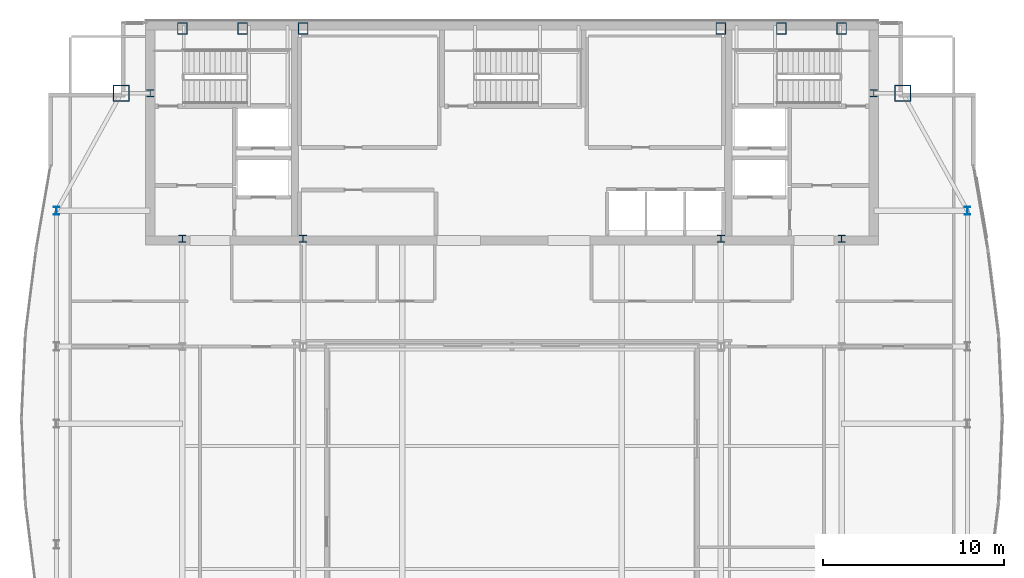
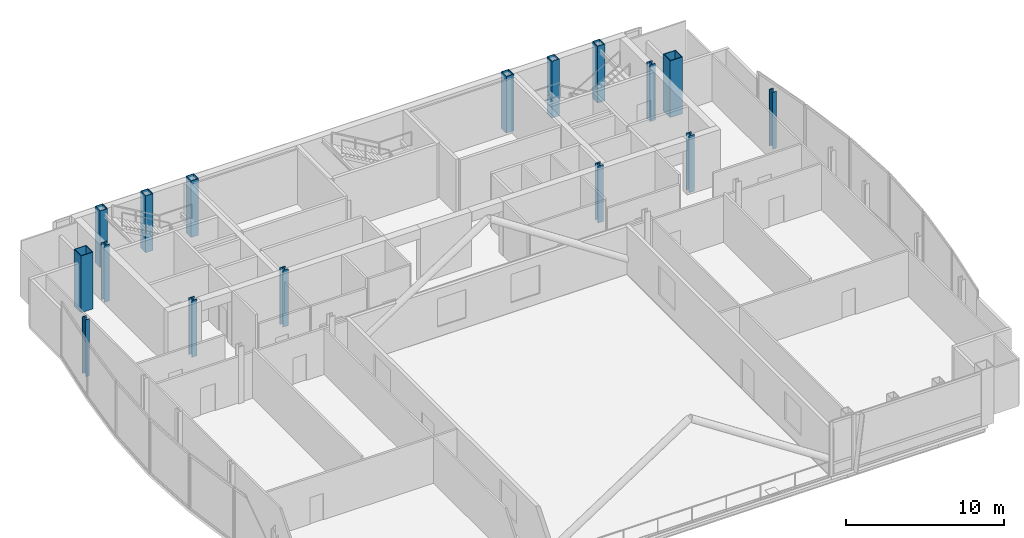
# One storey, part 3 of 27: 16 columns.
"""IFC4 building model written with IfcOpenShell, lengths in metres."""

from ifc_helpers import new_model, si_unit, direction, frame, origin, origin_2d, place, context, subcontext, project, spatial, hollow_rectangle, i_section, extrude, material, material_profile, profile_set, type_object, element, save


model = new_model("IFC4")

# Units and contexts
model_context = context("Model", 3, precision=1e-05, world=origin(), true_north=direction((0.0, 1.0)))
body_context = subcontext(model_context, "Body", "Model", "MODEL_VIEW")
ifc_project = project(units=[si_unit("LENGTHUNIT", "METRE"), si_unit("AREAUNIT", "SQUARE_METRE"), si_unit("VOLUMEUNIT", "CUBIC_METRE"), si_unit("PLANEANGLEUNIT", "RADIAN"), si_unit("MASSUNIT", "GRAM", prefix="KILO")], contexts=[model_context])

# Site, building, storey
site_placement = place(None, origin())
site = spatial("IfcSite", under=ifc_project, at=site_placement, CompositionType="ELEMENT")
building_placement = place(site_placement, origin())
building = spatial("IfcBuilding", under=site, at=building_placement, Name="Khoronbel Lancet Exchange", CompositionType="ELEMENT")
storey_placement = place(building_placement, frame((0.0, 0.0, 305.800048828125)))
storey = spatial("IfcBuildingStorey", under=building, at=storey_placement, Name="L79", CompositionType="ELEMENT", Elevation=305.800048828125)

# Columns
ifc_material_1 = material(Name="Steel S460", Category="steel")
ifc_material_profile_1 = material_profile(ifc_material_1, hollow_rectangle(XDim=0.550048828125, YDim=0.64990234375, WallThickness=0.0400390625, at=origin_2d()), Name="BOX 650x550x40")
ifc_profile_set_1 = profile_set([ifc_material_profile_1], Name="Steel S460")
column_type_1 = type_object("IfcColumnType", Name="COL-EC4", PredefinedType="COLUMN", material=ifc_profile_set_1)
for number, where, z_axis, x_axis, name in (
    (1, (18.22509765625, 53.280029296875, 0.0), (0.0, 0.0, 1.0), (1.0, 0.0, 0.0), "Structural column NC-W1 L79"),
    (2, (21.5625, 53.280029296875, 0.0), (0.0, 0.0, 1.0), (1.0, 0.0, 0.0), "Structural column NC-WM L79"),
    (3, (24.89990234375, 53.280029296875, 0.0), (0.0, 0.0, 1.0), (1.0, 0.0, 0.0), "Structural column NC-W2 L79"),
    (4, (48.0, 53.280029296875, 0.0), (0.0, 0.0, 1.0), (1.0, 0.0, 0.0), "Structural column NC-E1 L79"),
    (5, (51.33740234375, 53.280029296875, 0.0), (0.0, 0.0, 1.0), (1.0, 0.0, 0.0), "Structural column NC-EM L79"),
    (6, (54.675048828125, 53.280029296875, 0.0), (0.0, 0.0, 1.0), (1.0, 0.0, 0.0), "Structural column NC-E2 L79"),
):
    element("IfcColumn", number, at=place(storey_placement, frame(where, z_axis=z_axis, x_axis=x_axis)), inside=storey, type_object=column_type_1, Name=name, PredefinedType="COLUMN", context=body_context, shape_type="SweptSolid", body=[
        extrude(hollow_rectangle(XDim=0.550048828125, YDim=0.64990234375, WallThickness=0.0400390625, at=origin_2d()), origin(), (0.0, 0.0, 1.0), 4.39990234375),
    ])
ifc_material_2 = material(Name="Steel S355", Category="steel")
ifc_material_profile_2 = material_profile(ifc_material_2, i_section(OverallWidth=0.39892578125, OverallDepth=0.39306640625, WebThickness=0.022705078125, FlangeThickness=0.03662109375, at=origin_2d()), Name="HD 400x287")
ifc_profile_set_2 = profile_set([ifc_material_profile_2], Name="Steel S355")
column_type_2 = type_object("IfcColumnType", Name="COL-IC4", PredefinedType="COLUMN", material=ifc_profile_set_2)
for number, where, z_axis, x_axis, name in (
    (7, (16.449951171875, 49.699951171875, 0.0), (0.0, 0.0, 1.0), (1.0, 0.0, 0.0), "Core-flank plumb transfer column CFW L79"),
    (8, (56.449951171875, 49.699951171875, 0.0), (0.0, 0.0, 1.0), (1.0, 0.0, 0.0), "Core-flank plumb transfer column CFE L79"),
    (9, (18.22509765625, 41.64990234375, 0.0), (0.0, 0.0, 1.0), (1.0, 0.0, 0.0), "Core-embedded steel column CTC1 L79"),
    (10, (24.89990234375, 41.64990234375, 0.0), (0.0, 0.0, 1.0), (1.0, 0.0, 0.0), "Core-embedded steel column CTC2 L79"),
    (11, (48.0, 41.64990234375, 0.0), (0.0, 0.0, 1.0), (1.0, 0.0, 0.0), "Core-embedded steel column CTC3 L79"),
    (12, (54.675048828125, 41.64990234375, 0.0), (0.0, 0.0, 1.0), (1.0, 0.0, 0.0), "Core-embedded steel column CTC4 L79"),
):
    element("IfcColumn", number, at=place(storey_placement, frame(where, z_axis=z_axis, x_axis=x_axis)), inside=storey, type_object=column_type_2, Name=name, PredefinedType="COLUMN", context=body_context, shape_type="SweptSolid", body=[
        extrude(i_section(OverallWidth=0.39892578125, OverallDepth=0.39306640625, WebThickness=0.022705078125, FlangeThickness=0.03662109375, at=origin_2d()), origin(), (0.0, 0.0, 1.0), 4.39990234375),
    ])
ifc_material_profile_3 = material_profile(ifc_material_2, i_section(OverallWidth=0.300048828125, OverallDepth=0.449951171875, WebThickness=0.013916015625, FlangeThickness=0.02587890625, at=origin_2d()), Name="HEB 450")
ifc_profile_set_3 = profile_set([ifc_material_profile_3], Name="Steel S355")
column_type_3 = type_object("IfcColumnType", Name="COL-LC2", PredefinedType="COLUMN", material=ifc_profile_set_3)
for number, where, z_axis, x_axis, name in (
    (13, (11.27001953125, 43.199951171875, 0.0), (0.0, 0.0, 1.0), (1.0, 0.0, 0.0), "Structural column WC-4 L79"),
    (14, (61.6298828125, 43.199951171875, 0.0), (0.0, 0.0, 1.0), (1.0, 0.0, 0.0), "Structural column EC-4 L79"),
):
    element("IfcColumn", number, at=place(storey_placement, frame(where, z_axis=z_axis, x_axis=x_axis)), inside=storey, type_object=column_type_3, Name=name, PredefinedType="COLUMN", context=body_context, shape_type="SweptSolid", body=[
        extrude(i_section(OverallWidth=0.300048828125, OverallDepth=0.449951171875, WebThickness=0.013916015625, FlangeThickness=0.02587890625, at=origin_2d()), origin(), (0.0, 0.0, 1.0), 4.39990234375),
    ])
ifc_material_profile_4 = material_profile(ifc_material_1, hollow_rectangle(XDim=0.89990234375, YDim=0.89990234375, WallThickness=0.050048828125, at=origin_2d()), Name="BOX 900x900x50")
ifc_profile_set_4 = profile_set([ifc_material_profile_4], Name="Steel S460")
column_type_4 = type_object("IfcColumnType", Name="COL-MC7", PredefinedType="COLUMN", material=ifc_profile_set_4)
for number, where, z_axis, x_axis, name in (
    (15, (58.050048828125, 49.699951171875, 0.0), (0.0, 0.0, 1.0), (1.0, 0.0, 0.0), "Structural column MC-NE L79"),
    (16, (14.85009765625, 49.699951171875, 0.0), (0.0, 0.0, 1.0), (1.0, 0.0, 0.0), "Structural column MC-NW L79"),
):
    element("IfcColumn", number, at=place(storey_placement, frame(where, z_axis=z_axis, x_axis=x_axis)), inside=storey, type_object=column_type_4, Name=name, PredefinedType="COLUMN", context=body_context, shape_type="SweptSolid", body=[
        extrude(hollow_rectangle(XDim=0.89990234375, YDim=0.89990234375, WallThickness=0.050048828125, at=origin_2d()), origin(), (0.0, 0.0, 1.0), 4.39990234375),
    ])

save(model, "model.ifc")
